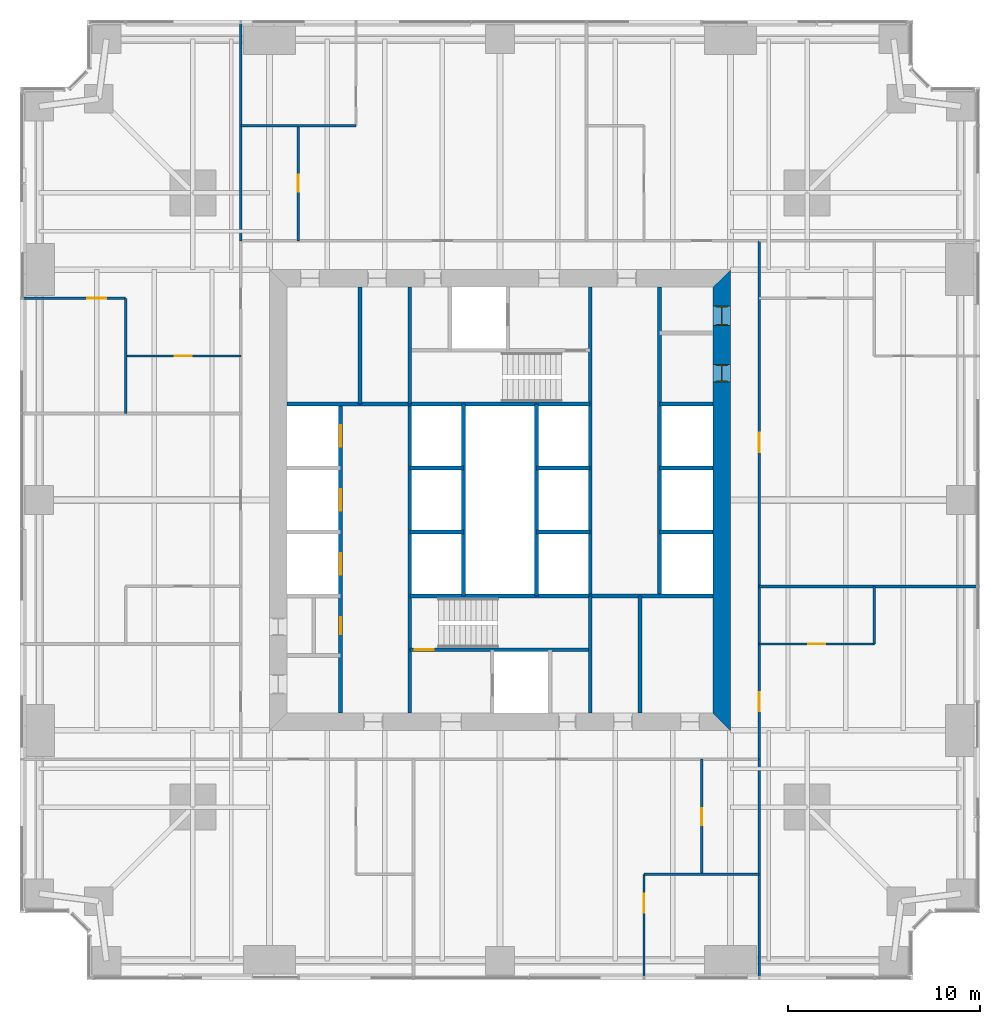
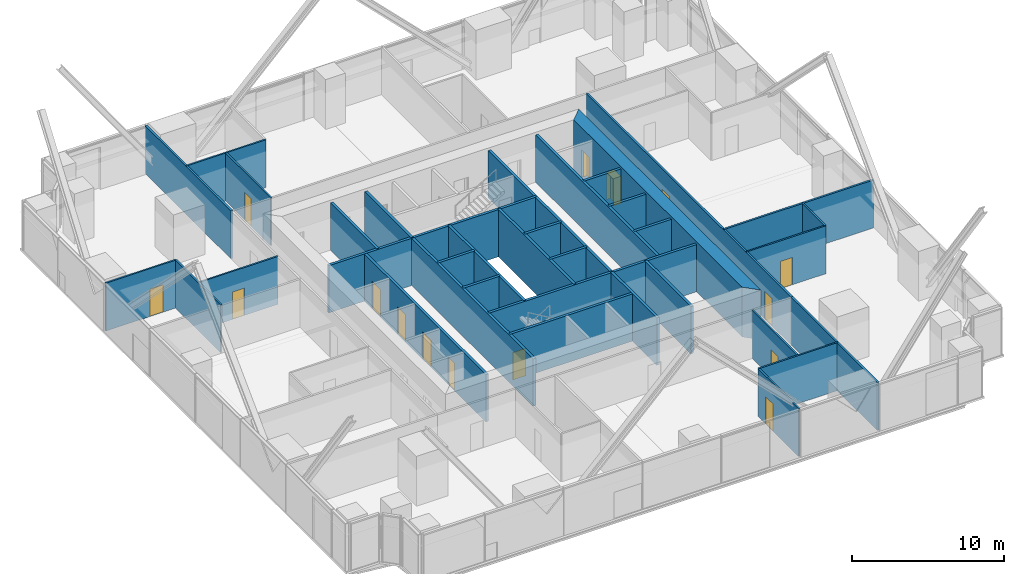
# One storey, part 10 of 13: 35 walls, 15 doors, 15 openings.
"""IFC4 building model written with IfcOpenShell, lengths in metres."""

from ifc_helpers import new_model, si_unit, direction, frame, frame_2d, origin, place, context, subcontext, project, spatial, polyline, rectangle, outline, extrude, material, layer, layer_set, type_object, element, fill, save


model = new_model("IFC4")

# Units and contexts
model_context = context("Model", 3, precision=1e-05, world=origin(), true_north=direction((0.0, 1.0)))
body_context = subcontext(model_context, "Body", "Model", "MODEL_VIEW")
ifc_project = project(units=[si_unit("LENGTHUNIT", "METRE"), si_unit("AREAUNIT", "SQUARE_METRE"), si_unit("VOLUMEUNIT", "CUBIC_METRE"), si_unit("PLANEANGLEUNIT", "RADIAN"), si_unit("MASSUNIT", "GRAM", prefix="KILO")], contexts=[model_context])

# Site, building, storey
site_placement = place(None, origin())
site = spatial("IfcSite", under=ifc_project, at=site_placement, CompositionType="ELEMENT")
building_placement = place(site_placement, origin())
building = spatial("IfcBuilding", under=site, at=building_placement, Name="Fenwick Lantern Interchange", CompositionType="ELEMENT")
storey_placement = place(building_placement, frame((0.0, 0.0, 55.0)))
storey = spatial("IfcBuildingStorey", under=building, at=storey_placement, Name="L12", CompositionType="ELEMENT", Elevation=55.0)

# Wall, openings, doors
ifc_material_1 = material(Name="Concrete masonry ASTM C90 Grade N", Category="masonry")
ifc_layer_1 = layer(ifc_material_1, 0.199951171875)
ifc_layer_set_1 = layer_set([ifc_layer_1], Name="Concrete masonry ASTM C90 Grade N")
wall_type_1 = type_object("IfcWallType", Name="CORE PARTITION 200", PredefinedType="PARTITIONING", material=ifc_layer_set_1)
wall_1_placement = place(storey_placement, frame((16.699951171875, 13.89990234375, 0.0), z_axis=(0.0, 0.0, 1.0), x_axis=(0.0, 1.0, 0.0)))
wall_1 = element("IfcWall", 1, at=wall_1_placement, inside=storey, type_object=wall_type_1, Name="L12/W/CORES/a", PredefinedType="PARTITIONING", context=body_context, shape_type="SweptSolid", body=[
    extrude(rectangle(XDim=16.10009765625, YDim=0.199951171875, at=frame_2d((8.050048828125, 0.0))), origin(), (0.0, 0.0, 1.0), 3.800048828125),
])
opening_1_placement = place(wall_1_placement, frame((4.10009765625, 0.0, 0.0)))
opening_1 = element("IfcOpeningElement", 2, at=opening_1_placement, cuts=wall_1, Name="Opening L12-D008", PredefinedType="OPENING", context=body_context, shape_type="SweptSolid", body=[
    extrude(rectangle(XDim=0.89990234375, YDim=2.199951171875, at=frame_2d((0.449951171875, 1.10009765625))), frame((0.0, 0.10986328125, 0.0), z_axis=(0.0, -1.0, 0.0), x_axis=(1.0, 0.0, 0.0)), (0.0, 0.0, 1.0), 0.219970703125),
])
opening_2_placement = place(wall_1_placement, frame((7.216552734375, 0.0, 0.0)))
opening_2 = element("IfcOpeningElement", 3, at=opening_2_placement, cuts=wall_1, Name="Opening LD-W1-1", PredefinedType="OPENING", context=body_context, shape_type="SweptSolid", body=[
    extrude(rectangle(XDim=1.10009765625, YDim=2.199951171875, at=frame_2d((0.550048828125, 1.10009765625))), frame((0.0, 0.10986328125, 0.0), z_axis=(0.0, -1.0, 0.0), x_axis=(1.0, 0.0, 0.0)), (0.0, 0.0, 1.0), 0.219970703125),
])
opening_3_placement = place(wall_1_placement, frame((10.550048828125, 0.0, 0.0)))
opening_3 = element("IfcOpeningElement", 4, at=opening_3_placement, cuts=wall_1, Name="Opening LD-W1-2", PredefinedType="OPENING", context=body_context, shape_type="SweptSolid", body=[
    extrude(rectangle(XDim=1.10009765625, YDim=2.199951171875, at=frame_2d((0.550048828125, 1.10009765625))), frame((0.0, 0.10986328125, 0.0), z_axis=(0.0, -1.0, 0.0), x_axis=(1.0, 0.0, 0.0)), (0.0, 0.0, 1.0), 0.219970703125),
])
opening_4_placement = place(wall_1_placement, frame((13.88330078125, 0.0, 0.0)))
opening_4 = element("IfcOpeningElement", 5, at=opening_4_placement, cuts=wall_1, Name="Opening LD-W1-3", PredefinedType="OPENING", context=body_context, shape_type="SweptSolid", body=[
    extrude(rectangle(XDim=1.10009765625, YDim=2.199951171875, at=frame_2d((0.550048828125, 1.10009765625))), frame((0.0, 0.10986328125, 0.0), z_axis=(0.0, -1.0, 0.0), x_axis=(1.0, 0.0, 0.0)), (0.0, 0.0, 1.0), 0.219970703125),
])
ifc_material_2 = material(Name="Steel door and frame", Category="steel")
door_type_1 = type_object("IfcDoorType", Name="LIFT LANDING DOOR 1100 X 2200", OperationType="DOUBLE_DOOR_SLIDING", PredefinedType="DOOR", material=ifc_material_2)
door_1_placement = place(opening_2_placement, origin())
door_1 = element("IfcDoor", 6, at=door_1_placement, inside=storey, type_object=door_type_1, Name="Lift landing door W1-1", OperationType="DOUBLE_DOOR_SLIDING", OverallHeight=2.199951171875, OverallWidth=1.10009765625, PredefinedType="DOOR", context=body_context, shape_type="SweptSolid", body=[
    extrude(rectangle(XDim=1.10009765625, YDim=2.199951171875, at=frame_2d((0.550048828125, 1.10009765625))), frame((0.0, 0.02490234375, 0.0), z_axis=(0.0, -1.0, 0.0), x_axis=(1.0, 0.0, 0.0)), (0.0, 0.0, 1.0), 0.050048828125),
])
fill(opening_2, door_1)
door_2_placement = place(opening_3_placement, origin())
door_2 = element("IfcDoor", 7, at=door_2_placement, inside=storey, type_object=door_type_1, Name="Lift landing door W1-2", OperationType="DOUBLE_DOOR_SLIDING", OverallHeight=2.199951171875, OverallWidth=1.10009765625, PredefinedType="DOOR", context=body_context, shape_type="SweptSolid", body=[
    extrude(rectangle(XDim=1.10009765625, YDim=2.199951171875, at=frame_2d((0.550048828125, 1.10009765625))), frame((0.0, 0.02490234375, 0.0), z_axis=(0.0, -1.0, 0.0), x_axis=(1.0, 0.0, 0.0)), (0.0, 0.0, 1.0), 0.050048828125),
])
fill(opening_3, door_2)
door_3_placement = place(opening_4_placement, origin())
door_3 = element("IfcDoor", 8, at=door_3_placement, inside=storey, type_object=door_type_1, Name="Lift landing door W1-3", OperationType="DOUBLE_DOOR_SLIDING", OverallHeight=2.199951171875, OverallWidth=1.10009765625, PredefinedType="DOOR", context=body_context, shape_type="SweptSolid", body=[
    extrude(rectangle(XDim=1.10009765625, YDim=2.199951171875, at=frame_2d((0.550048828125, 1.10009765625))), frame((0.0, 0.02490234375, 0.0), z_axis=(0.0, -1.0, 0.0), x_axis=(1.0, 0.0, 0.0)), (0.0, 0.0, 1.0), 0.050048828125),
])
fill(opening_4, door_3)
door_type_2 = type_object("IfcDoorType", Name="SERVICE DOOR 900 X 2200", OperationType="SINGLE_SWING_LEFT", PredefinedType="DOOR", material=ifc_material_2)
door_4_placement = place(opening_1_placement, origin())
door_4 = element("IfcDoor", 9, at=door_4_placement, inside=storey, type_object=door_type_2, Name="Service door", OperationType="SINGLE_SWING_LEFT", OverallHeight=2.199951171875, OverallWidth=0.89990234375, PredefinedType="DOOR", context=body_context, shape_type="SweptSolid", body=[
    extrude(rectangle(XDim=0.89990234375, YDim=2.199951171875, at=frame_2d((0.449951171875, 1.10009765625))), frame((0.0, 0.02490234375, 0.0), z_axis=(0.0, -1.0, 0.0), x_axis=(1.0, 0.0, 0.0)), (0.0, 0.0, 1.0), 0.050048828125),
])
fill(opening_1, door_4)

# Walls
for number, where, z_axis, x_axis, name in (
    (10, (20.300048828125, 23.333251953125, 0.0), (0.0, 0.0, 1.0), (1.0, 0.0, 0.0), "L12/W/CORES/e1"),
    (11, (20.300048828125, 26.666748046875, 0.0), (0.0, 0.0, 1.0), (1.0, 0.0, 0.0), "L12/W/CORES/e2"),
):
    element("IfcWall", number, at=place(storey_placement, frame(where, z_axis=z_axis, x_axis=x_axis)), inside=storey, type_object=wall_type_1, Name=name, PredefinedType="PARTITIONING", context=body_context, shape_type="SweptSolid", body=[
        extrude(rectangle(XDim=2.800048828125, YDim=0.199951171875, at=frame_2d((1.39990234375, 0.0))), origin(), (0.0, 0.0, 1.0), 3.800048828125),
    ])
wall_2_placement = place(storey_placement, frame((23.10009765625, 20.0, 0.0), z_axis=(0.0, 0.0, 1.0), x_axis=(0.0, 1.0, 0.0)))
element("IfcWall", 12, at=wall_2_placement, inside=storey, type_object=wall_type_1, Name="L12/W/CORES/e3", PredefinedType="PARTITIONING", context=body_context, shape_type="SweptSolid", body=[
    extrude(rectangle(XDim=10.0, YDim=0.199951171875, at=frame_2d((5.0, 0.0))), origin(), (0.0, 0.0, 1.0), 3.800048828125),
])
wall_3_placement = place(storey_placement, frame((32.300048828125, 13.89990234375, 0.0), z_axis=(0.0, 0.0, 1.0), x_axis=(0.0, 1.0, 0.0)))
element("IfcWall", 13, at=wall_3_placement, inside=storey, type_object=wall_type_1, Name="L12/W/CORES/i2", PredefinedType="PARTITIONING", context=body_context, shape_type="SweptSolid", body=[
    extrude(rectangle(XDim=6.10009765625, YDim=0.199951171875, at=frame_2d((3.050048828125, 0.0))), origin(), (0.0, 0.0, 1.0), 3.800048828125),
])
wall_4_placement = place(storey_placement, frame((33.300048828125, 36.10009765625, 0.0), z_axis=(0.0, 0.0, 1.0), x_axis=(0.0, -1.0, 0.0)))
element("IfcWall", 14, at=wall_4_placement, inside=storey, type_object=wall_type_1, Name="L12/W/COREN/a", PredefinedType="PARTITIONING", context=body_context, shape_type="SweptSolid", body=[
    extrude(rectangle(XDim=16.10009765625, YDim=0.199951171875, at=frame_2d((8.050048828125, 0.0))), origin(), (0.0, 0.0, 1.0), 3.800048828125),
])
for number, where, z_axis, x_axis, name in (
    (15, (36.10009765625, 30.0, 0.0), (0.0, 0.0, 1.0), (-1.0, 0.0, 0.0), "L12/W/COREN/c2"),
    (16, (36.10009765625, 26.666748046875, 0.0), (0.0, 0.0, 1.0), (-1.0, 0.0, 0.0), "L12/W/COREN/d1"),
    (17, (36.10009765625, 23.333251953125, 0.0), (0.0, 0.0, 1.0), (-1.0, 0.0, 0.0), "L12/W/COREN/d2"),
    (18, (29.699951171875, 26.666748046875, 0.0), (0.0, 0.0, 1.0), (-1.0, 0.0, 0.0), "L12/W/COREN/e1"),
    (19, (29.699951171875, 23.333251953125, 0.0), (0.0, 0.0, 1.0), (-1.0, 0.0, 0.0), "L12/W/COREN/e2"),
):
    element("IfcWall", number, at=place(storey_placement, frame(where, z_axis=z_axis, x_axis=x_axis)), inside=storey, type_object=wall_type_1, Name=name, PredefinedType="PARTITIONING", context=body_context, shape_type="SweptSolid", body=[
        extrude(rectangle(XDim=2.800048828125, YDim=0.199951171875, at=frame_2d((1.39990234375, 0.0))), origin(), (0.0, 0.0, 1.0), 3.800048828125),
    ])
wall_5_placement = place(storey_placement, frame((26.89990234375, 30.0, 0.0), z_axis=(0.0, 0.0, 1.0), x_axis=(0.0, -1.0, 0.0)))
element("IfcWall", 20, at=wall_5_placement, inside=storey, type_object=wall_type_1, Name="L12/W/COREN/e3", PredefinedType="PARTITIONING", context=body_context, shape_type="SweptSolid", body=[
    extrude(rectangle(XDim=10.0, YDim=0.199951171875, at=frame_2d((5.0, 0.0))), origin(), (0.0, 0.0, 1.0), 3.800048828125),
])
wall_6_placement = place(storey_placement, frame((17.699951171875, 36.10009765625, 0.0), z_axis=(0.0, 0.0, 1.0), x_axis=(0.0, -1.0, 0.0)))
element("IfcWall", 21, at=wall_6_placement, inside=storey, type_object=wall_type_1, Name="L12/W/COREN/i2", PredefinedType="PARTITIONING", context=body_context, shape_type="SweptSolid", body=[
    extrude(rectangle(XDim=6.10009765625, YDim=0.199951171875, at=frame_2d((3.050048828125, 0.0))), origin(), (0.0, 0.0, 1.0), 3.800048828125),
])

# Wall, openings, doors
ifc_material_3 = material(Name="Concrete f'c 70 MPa", Category="concrete")
ifc_layer_2 = layer(ifc_material_3, 0.89990234375)
ifc_layer_set_2 = layer_set([ifc_layer_2], Name="CORE WALL 900")
wall_type_2 = type_object("IfcWallType", Name="CORE WALL 900", PredefinedType="SHEAR", material=ifc_layer_set_2)
wall_7_placement = place(storey_placement, frame((36.550048828125, 13.89990234375, 0.0), z_axis=(0.0, 0.0, 1.0), x_axis=(0.0, 1.0, 0.0)))
wall_7 = element("IfcWall", 22, at=wall_7_placement, inside=storey, type_object=wall_type_2, Name="L12/CORE/E", PredefinedType="SHEAR", context=body_context, shape_type="SweptSolid", body=[
    extrude(outline(polyline([(-0.89990234375, -0.449951171875), (23.10009765625, -0.449951171875), (22.199951171875, 0.449951171875), (0.0, 0.449951171875), (-0.89990234375, -0.449951171875)])), origin(), (0.0, 0.0, 1.0), 4.0),
])
opening_5_placement = place(wall_7_placement, frame((20.199951171875, 0.0, 0.0)))
opening_5 = element("IfcOpeningElement", 23, at=opening_5_placement, cuts=wall_7, Name="Opening L12-D016", PredefinedType="OPENING", context=body_context, shape_type="SweptSolid", body=[
    extrude(rectangle(XDim=1.0, YDim=2.199951171875, at=frame_2d((0.5, 1.10009765625))), frame((0.0, 0.4599609375, 0.0), z_axis=(0.0, -1.0, 0.0), x_axis=(1.0, 0.0, 0.0)), (0.0, 0.0, 1.0), 0.919921875),
])
opening_6_placement = place(wall_7_placement, frame((17.25, 0.0, 0.0)))
opening_6 = element("IfcOpeningElement", 24, at=opening_6_placement, cuts=wall_7, Name="Opening L12-D017", PredefinedType="OPENING", context=body_context, shape_type="SweptSolid", body=[
    extrude(rectangle(XDim=0.89990234375, YDim=2.199951171875, at=frame_2d((0.449951171875, 1.10009765625))), frame((0.0, 0.4599609375, 0.0), z_axis=(0.0, -1.0, 0.0), x_axis=(1.0, 0.0, 0.0)), (0.0, 0.0, 1.0), 0.919921875),
])
door_type_3 = type_object("IfcDoorType", Name="SERVICE DOOR 1000 X 2200", OperationType="SINGLE_SWING_LEFT", PredefinedType="DOOR", material=ifc_material_2)
door_5_placement = place(opening_5_placement, origin())
door_5 = element("IfcDoor", 25, at=door_5_placement, inside=storey, type_object=door_type_3, Name="Service door", OperationType="SINGLE_SWING_LEFT", OverallHeight=2.199951171875, OverallWidth=1.0, PredefinedType="DOOR", context=body_context, shape_type="SweptSolid", body=[
    extrude(rectangle(XDim=1.0, YDim=2.199951171875, at=frame_2d((0.5, 1.10009765625))), frame((0.0, 0.02490234375, 0.0), z_axis=(0.0, -1.0, 0.0), x_axis=(1.0, 0.0, 0.0)), (0.0, 0.0, 1.0), 0.050048828125),
    extrude(outline(polyline([(0.0, 0.0), (0.0400390625, 0.0), (0.0400390625, 2.159912109375), (0.9599609375, 2.159912109375), (0.9599609375, 0.0), (1.0, 0.0), (1.0, 2.199951171875), (0.0, 2.199951171875), (0.0, 0.0)])), frame((0.0, 0.300048828125, 0.0), z_axis=(0.0, -1.0, 0.0), x_axis=(1.0, 0.0, 0.0)), (0.0, 0.0, 1.0), 0.60009765625),
])
fill(opening_5, door_5)
door_6_placement = place(opening_6_placement, origin())
door_6 = element("IfcDoor", 26, at=door_6_placement, inside=storey, type_object=door_type_2, Name="Service door", OperationType="SINGLE_SWING_LEFT", OverallHeight=2.199951171875, OverallWidth=0.89990234375, PredefinedType="DOOR", context=body_context, shape_type="SweptSolid", body=[
    extrude(rectangle(XDim=0.89990234375, YDim=2.199951171875, at=frame_2d((0.449951171875, 1.10009765625))), frame((0.0, 0.02490234375, 0.0), z_axis=(0.0, -1.0, 0.0), x_axis=(1.0, 0.0, 0.0)), (0.0, 0.0, 1.0), 0.050048828125),
    extrude(outline(polyline([(0.0, 0.0), (0.0400390625, 0.0), (0.0400390625, 2.159912109375), (0.85986328125, 2.159912109375), (0.85986328125, 0.0), (0.89990234375, 0.0), (0.89990234375, 2.199951171875), (0.0, 2.199951171875), (0.0, 0.0)])), frame((0.0, 0.300048828125, 0.0), z_axis=(0.0, -1.0, 0.0), x_axis=(1.0, 0.0, 0.0)), (0.0, 0.0, 1.0), 0.60009765625),
])
fill(opening_6, door_6)

ifc_material_4 = material(Name="Gypsum board on steel studs, 1 hour", Category="steel")
ifc_layer_3 = layer(ifc_material_4, 0.14990234375)
ifc_layer_set_3 = layer_set([ifc_layer_3], Name="CORRIDOR WALL 150")
wall_type_3 = type_object("IfcWallType", Name="CORRIDOR WALL 150", PredefinedType="PARTITIONING", material=ifc_layer_set_3)
wall_8_placement = place(storey_placement, frame((38.5, 11.5, 0.0), z_axis=(0.0, 0.0, 1.0), x_axis=(0.0, 1.0, 0.0)))
wall_8 = element("IfcWall", 27, at=wall_8_placement, inside=storey, type_object=wall_type_3, Name="L12/W/OFF/E/CW", PredefinedType="PARTITIONING", context=body_context, shape_type="SweptSolid", body=[
    extrude(rectangle(XDim=27.0, YDim=0.14990234375, at=frame_2d((13.5, 0.0))), origin(), (0.0, 0.0, 1.0), 3.85009765625),
])
opening_7_placement = place(wall_8_placement, frame((2.5, 0.0, 0.0)))
opening_7 = element("IfcOpeningElement", 28, at=opening_7_placement, cuts=wall_8, Name="Opening L12-D023", PredefinedType="OPENING", context=body_context, shape_type="SweptSolid", body=[
    extrude(rectangle(XDim=1.0, YDim=2.199951171875, at=frame_2d((0.5, 1.10009765625))), frame((0.0, 0.0849609375, 0.0), z_axis=(0.0, -1.0, 0.0), x_axis=(1.0, 0.0, 0.0)), (0.0, 0.0, 1.0), 0.169921875),
])
opening_8_placement = place(wall_8_placement, frame((16.0, 0.0, 0.0)))
opening_8 = element("IfcOpeningElement", 29, at=opening_8_placement, cuts=wall_8, Name="Opening L12-D025", PredefinedType="OPENING", context=body_context, shape_type="SweptSolid", body=[
    extrude(rectangle(XDim=1.0, YDim=2.199951171875, at=frame_2d((0.5, 1.10009765625))), frame((0.0, 0.0849609375, 0.0), z_axis=(0.0, -1.0, 0.0), x_axis=(1.0, 0.0, 0.0)), (0.0, 0.0, 1.0), 0.169921875),
])
door_type_4 = type_object("IfcDoorType", Name="SUITE ENTRANCE DOOR 1000 X 2200", OperationType="SINGLE_SWING_LEFT", PredefinedType="DOOR", material=ifc_material_2)
door_7_placement = place(opening_7_placement, frame((1.0, 0.0, 0.0), z_axis=(0.0, 0.0, 1.0), x_axis=(-1.0, 0.0, 0.0)))
door_7 = element("IfcDoor", 30, at=door_7_placement, inside=storey, type_object=door_type_4, Name="Suite entrance door", OperationType="SINGLE_SWING_LEFT", OverallHeight=2.199951171875, OverallWidth=1.0, PredefinedType="DOOR", context=body_context, shape_type="SweptSolid", body=[
    extrude(rectangle(XDim=1.0, YDim=2.199951171875, at=frame_2d((0.5, 1.10009765625))), frame((0.0, 0.02490234375, 0.0), z_axis=(0.0, -1.0, 0.0), x_axis=(1.0, 0.0, 0.0)), (0.0, 0.0, 1.0), 0.050048828125),
])
fill(opening_7, door_7)
door_8_placement = place(opening_8_placement, frame((1.0, 0.0, 0.0), z_axis=(0.0, 0.0, 1.0), x_axis=(-1.0, 0.0, 0.0)))
door_8 = element("IfcDoor", 31, at=door_8_placement, inside=storey, type_object=door_type_4, Name="Suite entrance door", OperationType="SINGLE_SWING_RIGHT", OverallHeight=2.199951171875, OverallWidth=1.0, PredefinedType="DOOR", context=body_context, shape_type="SweptSolid", body=[
    extrude(rectangle(XDim=1.0, YDim=2.199951171875, at=frame_2d((0.5, 1.10009765625))), frame((0.0, 0.02490234375, 0.0), z_axis=(0.0, -1.0, 0.0), x_axis=(1.0, 0.0, 0.0)), (0.0, 0.0, 1.0), 0.050048828125),
])
fill(opening_8, door_8)

# Wall, opening, door
ifc_material_5 = material(Name="Gypsum board on steel studs, acoustic", Category="steel")
ifc_layer_4 = layer(ifc_material_5, 0.125)
ifc_layer_set_4 = layer_set([ifc_layer_4], Name="OFFICE PARTITION 125")
wall_type_4 = type_object("IfcWallType", Name="OFFICE PARTITION 125", PredefinedType="PARTITIONING", material=ifc_layer_set_4)
wall_9_placement = place(storey_placement, frame((32.5, 0.14990234375, 0.0), z_axis=(0.0, 0.0, 1.0), x_axis=(0.0, 1.0, 0.0)))
wall_9 = element("IfcWall", 32, at=wall_9_placement, inside=storey, type_object=wall_type_4, Name="L12/W/OFF/S/X325-1", PredefinedType="PARTITIONING", context=body_context, shape_type="SweptSolid", body=[
    extrude(rectangle(XDim=5.35009765625, YDim=0.125, at=frame_2d((2.675048828125, 0.0))), origin(), (0.0, 0.0, 1.0), 3.85009765625),
])
opening_9_placement = place(wall_9_placement, frame((3.35009765625, 0.0, 0.0)))
opening_9 = element("IfcOpeningElement", 33, at=opening_9_placement, cuts=wall_9, Name="Opening L12-D021", PredefinedType="OPENING", context=body_context, shape_type="SweptSolid", body=[
    extrude(rectangle(XDim=1.0, YDim=2.199951171875, at=frame_2d((0.5, 1.10009765625))), frame((0.0, 0.072509765625, 0.0), z_axis=(0.0, -1.0, 0.0), x_axis=(1.0, 0.0, 0.0)), (0.0, 0.0, 1.0), 0.14501953125),
])
ifc_material_6 = material(Name="Hardwood door and steel frame", Category="steel")
door_type_5 = type_object("IfcDoorType", Name="MEETING ROOM DOOR 1000 X 2200", OperationType="SINGLE_SWING_LEFT", PredefinedType="DOOR", material=ifc_material_6)
door_9_placement = place(opening_9_placement, frame((1.0, 0.0, 0.0), z_axis=(0.0, 0.0, 1.0), x_axis=(-1.0, 0.0, 0.0)))
door_9 = element("IfcDoor", 34, at=door_9_placement, inside=storey, type_object=door_type_5, Name="Meeting room door", OperationType="SINGLE_SWING_LEFT", OverallHeight=2.199951171875, OverallWidth=1.0, PredefinedType="DOOR", context=body_context, shape_type="SweptSolid", body=[
    extrude(rectangle(XDim=1.0, YDim=2.199951171875, at=frame_2d((0.5, 1.10009765625))), frame((0.0, 0.02490234375, 0.0), z_axis=(0.0, -1.0, 0.0), x_axis=(1.0, 0.0, 0.0)), (0.0, 0.0, 1.0), 0.050048828125),
])
fill(opening_9, door_9)

wall_10_placement = place(storey_placement, frame((35.5, 5.5, 0.0), z_axis=(0.0, 0.0, 1.0), x_axis=(0.0, 1.0, 0.0)))
wall_10 = element("IfcWall", 35, at=wall_10_placement, inside=storey, type_object=wall_type_4, Name="L12/W/OFF/S/X355-1", PredefinedType="PARTITIONING", context=body_context, shape_type="SweptSolid", body=[
    extrude(rectangle(XDim=6.0, YDim=0.125, at=frame_2d((3.0, 0.0))), origin(), (0.0, 0.0, 1.0), 3.85009765625),
])
opening_10_placement = place(wall_10_placement, frame((2.550048828125, 0.0, 0.0)))
opening_10 = element("IfcOpeningElement", 36, at=opening_10_placement, cuts=wall_10, Name="Opening L12-D022", PredefinedType="OPENING", context=body_context, shape_type="SweptSolid", body=[
    extrude(rectangle(XDim=0.89990234375, YDim=2.199951171875, at=frame_2d((0.449951171875, 1.10009765625))), frame((0.0, 0.072509765625, 0.0), z_axis=(0.0, -1.0, 0.0), x_axis=(1.0, 0.0, 0.0)), (0.0, 0.0, 1.0), 0.14501953125),
])
door_type_6 = type_object("IfcDoorType", Name="OFFICE DOOR 900 X 2200", OperationType="SINGLE_SWING_LEFT", PredefinedType="DOOR", material=ifc_material_6)
door_10_placement = place(opening_10_placement, frame((0.89990234375, 0.0, 0.0), z_axis=(0.0, 0.0, 1.0), x_axis=(-1.0, 0.0, 0.0)))
door_10 = element("IfcDoor", 37, at=door_10_placement, inside=storey, type_object=door_type_6, Name="Office door", OperationType="SINGLE_SWING_RIGHT", OverallHeight=2.199951171875, OverallWidth=0.89990234375, PredefinedType="DOOR", context=body_context, shape_type="SweptSolid", body=[
    extrude(rectangle(XDim=0.89990234375, YDim=2.199951171875, at=frame_2d((0.449951171875, 1.10009765625))), frame((0.0, 0.02490234375, 0.0), z_axis=(0.0, -1.0, 0.0), x_axis=(1.0, 0.0, 0.0)), (0.0, 0.0, 1.0), 0.050048828125),
])
fill(opening_10, door_10)

# Wall
wall_11_placement = place(storey_placement, frame((32.5, 5.5, 0.0), z_axis=(0.0, 0.0, 1.0), x_axis=(1.0, 0.0, 0.0)))
element("IfcWall", 38, at=wall_11_placement, inside=storey, type_object=wall_type_4, Name="L12/W/OFF/S/Y55-2", PredefinedType="PARTITIONING", context=body_context, shape_type="SweptSolid", body=[
    extrude(rectangle(XDim=6.0, YDim=0.125, at=frame_2d((3.0, 0.0))), origin(), (0.0, 0.0, 1.0), 3.85009765625),
])

# Wall, opening, door
wall_12_placement = place(storey_placement, frame((44.5, 17.5, 0.0), z_axis=(0.0, 0.0, 1.0), x_axis=(-1.0, 0.0, 0.0)))
wall_12 = element("IfcWall", 39, at=wall_12_placement, inside=storey, type_object=wall_type_4, Name="L12/W/OFF/E/X175-1", PredefinedType="PARTITIONING", context=body_context, shape_type="SweptSolid", body=[
    extrude(rectangle(XDim=6.0, YDim=0.125, at=frame_2d((3.0, 0.0))), origin(), (0.0, 0.0, 1.0), 3.85009765625),
])
opening_11_placement = place(wall_12_placement, frame((2.550048828125, 0.0, 0.0)))
opening_11 = element("IfcOpeningElement", 40, at=opening_11_placement, cuts=wall_12, Name="Opening L12-D024", PredefinedType="OPENING", context=body_context, shape_type="SweptSolid", body=[
    extrude(rectangle(XDim=0.89990234375, YDim=2.199951171875, at=frame_2d((0.449951171875, 1.10009765625))), frame((0.0, 0.072509765625, 0.0), z_axis=(0.0, -1.0, 0.0), x_axis=(1.0, 0.0, 0.0)), (0.0, 0.0, 1.0), 0.14501953125),
])
door_11_placement = place(opening_11_placement, frame((0.89990234375, 0.0, 0.0), z_axis=(0.0, 0.0, 1.0), x_axis=(-1.0, 0.0, 0.0)))
door_11 = element("IfcDoor", 41, at=door_11_placement, inside=storey, type_object=door_type_6, Name="Office door", OperationType="SINGLE_SWING_RIGHT", OverallHeight=2.199951171875, OverallWidth=0.89990234375, PredefinedType="DOOR", context=body_context, shape_type="SweptSolid", body=[
    extrude(rectangle(XDim=0.89990234375, YDim=2.199951171875, at=frame_2d((0.449951171875, 1.10009765625))), frame((0.0, 0.02490234375, 0.0), z_axis=(0.0, -1.0, 0.0), x_axis=(1.0, 0.0, 0.0)), (0.0, 0.0, 1.0), 0.050048828125),
])
fill(opening_11, door_11)

# Wall
wall_13_placement = place(storey_placement, frame((44.5, 17.5, 0.0), z_axis=(0.0, 0.0, 1.0), x_axis=(0.0, 1.0, 0.0)))
element("IfcWall", 42, at=wall_13_placement, inside=storey, type_object=wall_type_4, Name="L12/W/OFF/E/Y55-1", PredefinedType="PARTITIONING", context=body_context, shape_type="SweptSolid", body=[
    extrude(rectangle(XDim=3.0, YDim=0.125, at=frame_2d((1.5, 0.0))), origin(), (0.0, 0.0, 1.0), 3.85009765625),
])

# Wall, opening, door
wall_14_placement = place(storey_placement, frame((14.5, 44.5, 0.0), z_axis=(0.0, 0.0, 1.0), x_axis=(0.0, -1.0, 0.0)))
wall_14 = element("IfcWall", 43, at=wall_14_placement, inside=storey, type_object=wall_type_4, Name="L12/W/OFF/N/X355-1", PredefinedType="PARTITIONING", context=body_context, shape_type="SweptSolid", body=[
    extrude(rectangle(XDim=6.0, YDim=0.125, at=frame_2d((3.0, 0.0))), origin(), (0.0, 0.0, 1.0), 3.85009765625),
])
opening_12_placement = place(wall_14_placement, frame((2.550048828125, 0.0, 0.0)))
opening_12 = element("IfcOpeningElement", 44, at=opening_12_placement, cuts=wall_14, Name="Opening L12-D032", PredefinedType="OPENING", context=body_context, shape_type="SweptSolid", body=[
    extrude(rectangle(XDim=0.89990234375, YDim=2.199951171875, at=frame_2d((0.449951171875, 1.10009765625))), frame((0.0, 0.072509765625, 0.0), z_axis=(0.0, -1.0, 0.0), x_axis=(1.0, 0.0, 0.0)), (0.0, 0.0, 1.0), 0.14501953125),
])
door_12_placement = place(opening_12_placement, frame((0.89990234375, 0.0, 0.0), z_axis=(0.0, 0.0, 1.0), x_axis=(-1.0, 0.0, 0.0)))
door_12 = element("IfcDoor", 45, at=door_12_placement, inside=storey, type_object=door_type_6, Name="Office door", OperationType="SINGLE_SWING_RIGHT", OverallHeight=2.199951171875, OverallWidth=0.89990234375, PredefinedType="DOOR", context=body_context, shape_type="SweptSolid", body=[
    extrude(rectangle(XDim=0.89990234375, YDim=2.199951171875, at=frame_2d((0.449951171875, 1.10009765625))), frame((0.0, 0.02490234375, 0.0), z_axis=(0.0, -1.0, 0.0), x_axis=(1.0, 0.0, 0.0)), (0.0, 0.0, 1.0), 0.050048828125),
])
fill(opening_12, door_12)

# Wall
wall_15_placement = place(storey_placement, frame((17.5, 44.5, 0.0), z_axis=(0.0, 0.0, 1.0), x_axis=(-1.0, 0.0, 0.0)))
element("IfcWall", 46, at=wall_15_placement, inside=storey, type_object=wall_type_4, Name="L12/W/OFF/N/Y55-2", PredefinedType="PARTITIONING", context=body_context, shape_type="SweptSolid", body=[
    extrude(rectangle(XDim=6.0, YDim=0.125, at=frame_2d((3.0, 0.0))), origin(), (0.0, 0.0, 1.0), 3.85009765625),
])

# Wall, opening, door
wall_16_placement = place(storey_placement, frame((0.14990234375, 35.5, 0.0), z_axis=(0.0, 0.0, 1.0), x_axis=(1.0, 0.0, 0.0)))
wall_16 = element("IfcWall", 47, at=wall_16_placement, inside=storey, type_object=wall_type_4, Name="L12/W/OFF/W/X145-1", PredefinedType="PARTITIONING", context=body_context, shape_type="SweptSolid", body=[
    extrude(rectangle(XDim=5.35009765625, YDim=0.125, at=frame_2d((2.675048828125, 0.0))), origin(), (0.0, 0.0, 1.0), 3.85009765625),
])
opening_13_placement = place(wall_16_placement, frame((3.35009765625, 0.0, 0.0)))
opening_13 = element("IfcOpeningElement", 48, at=opening_13_placement, cuts=wall_16, Name="Opening L12-D034", PredefinedType="OPENING", context=body_context, shape_type="SweptSolid", body=[
    extrude(rectangle(XDim=1.0, YDim=2.199951171875, at=frame_2d((0.5, 1.10009765625))), frame((0.0, 0.072509765625, 0.0), z_axis=(0.0, -1.0, 0.0), x_axis=(1.0, 0.0, 0.0)), (0.0, 0.0, 1.0), 0.14501953125),
])
door_13_placement = place(opening_13_placement, frame((1.0, 0.0, 0.0), z_axis=(0.0, 0.0, 1.0), x_axis=(-1.0, 0.0, 0.0)))
door_13 = element("IfcDoor", 49, at=door_13_placement, inside=storey, type_object=door_type_5, Name="Meeting room door", OperationType="SINGLE_SWING_LEFT", OverallHeight=2.199951171875, OverallWidth=1.0, PredefinedType="DOOR", context=body_context, shape_type="SweptSolid", body=[
    extrude(rectangle(XDim=1.0, YDim=2.199951171875, at=frame_2d((0.5, 1.10009765625))), frame((0.0, 0.02490234375, 0.0), z_axis=(0.0, -1.0, 0.0), x_axis=(1.0, 0.0, 0.0)), (0.0, 0.0, 1.0), 0.050048828125),
])
fill(opening_13, door_13)

wall_17_placement = place(storey_placement, frame((5.5, 32.5, 0.0), z_axis=(0.0, 0.0, 1.0), x_axis=(1.0, 0.0, 0.0)))
wall_17 = element("IfcWall", 50, at=wall_17_placement, inside=storey, type_object=wall_type_4, Name="L12/W/OFF/W/X175-1", PredefinedType="PARTITIONING", context=body_context, shape_type="SweptSolid", body=[
    extrude(rectangle(XDim=6.0, YDim=0.125, at=frame_2d((3.0, 0.0))), origin(), (0.0, 0.0, 1.0), 3.85009765625),
])
opening_14_placement = place(wall_17_placement, frame((2.550048828125, 0.0, 0.0)))
opening_14 = element("IfcOpeningElement", 51, at=opening_14_placement, cuts=wall_17, Name="Opening L12-D035", PredefinedType="OPENING", context=body_context, shape_type="SweptSolid", body=[
    extrude(rectangle(XDim=0.89990234375, YDim=2.199951171875, at=frame_2d((0.449951171875, 1.10009765625))), frame((0.0, 0.072509765625, 0.0), z_axis=(0.0, -1.0, 0.0), x_axis=(1.0, 0.0, 0.0)), (0.0, 0.0, 1.0), 0.14501953125),
])
door_14_placement = place(opening_14_placement, frame((0.89990234375, 0.0, 0.0), z_axis=(0.0, 0.0, 1.0), x_axis=(-1.0, 0.0, 0.0)))
door_14 = element("IfcDoor", 52, at=door_14_placement, inside=storey, type_object=door_type_6, Name="Office door", OperationType="SINGLE_SWING_RIGHT", OverallHeight=2.199951171875, OverallWidth=0.89990234375, PredefinedType="DOOR", context=body_context, shape_type="SweptSolid", body=[
    extrude(rectangle(XDim=0.89990234375, YDim=2.199951171875, at=frame_2d((0.449951171875, 1.10009765625))), frame((0.0, 0.02490234375, 0.0), z_axis=(0.0, -1.0, 0.0), x_axis=(1.0, 0.0, 0.0)), (0.0, 0.0, 1.0), 0.050048828125),
])
fill(opening_14, door_14)

# Walls
wall_18_placement = place(storey_placement, frame((5.5, 35.5, 0.0), z_axis=(0.0, 0.0, 1.0), x_axis=(0.0, -1.0, 0.0)))
element("IfcWall", 53, at=wall_18_placement, inside=storey, type_object=wall_type_4, Name="L12/W/OFF/W/Y55-1", PredefinedType="PARTITIONING", context=body_context, shape_type="SweptSolid", body=[
    extrude(rectangle(XDim=6.0, YDim=0.125, at=frame_2d((3.0, 0.0))), origin(), (0.0, 0.0, 1.0), 3.85009765625),
])
ifc_material_7 = material(Name="Concrete f'c 45 MPa", Category="concrete")
ifc_layer_5 = layer(ifc_material_7, 0.199951171875)
ifc_layer_set_5 = layer_set([ifc_layer_5], Name="STAIR CORE WALL 200")
wall_type_5 = type_object("IfcWallType", Name="STAIR CORE WALL 200", PredefinedType="SOLIDWALL", material=ifc_layer_set_5)
wall_19_placement = place(storey_placement, frame((20.300048828125, 13.89990234375, 0.0), z_axis=(0.0, 0.0, 1.0), x_axis=(0.0, 1.0, 0.0)))
element("IfcWall", 54, at=wall_19_placement, inside=storey, type_object=wall_type_5, Name="L12/W/CORES/b", PredefinedType="SOLIDWALL", context=body_context, shape_type="SweptSolid", body=[
    extrude(rectangle(XDim=16.10009765625, YDim=0.199951171875, at=frame_2d((8.050048828125, 0.0))), origin(), (0.0, 0.0, 1.0), 3.800048828125),
])

# Wall, opening, door
wall_20_placement = place(storey_placement, frame((20.300048828125, 17.199951171875, 0.0), z_axis=(0.0, 0.0, 1.0), x_axis=(1.0, 0.0, 0.0)))
wall_20 = element("IfcWall", 55, at=wall_20_placement, inside=storey, type_object=wall_type_5, Name="L12/W/CORES/g1", PredefinedType="SOLIDWALL", context=body_context, shape_type="SweptSolid", body=[
    extrude(rectangle(XDim=9.39990234375, YDim=0.199951171875, at=frame_2d((4.699951171875, 0.0))), origin(), (0.0, 0.0, 1.0), 3.800048828125),
])
opening_15_placement = place(wall_20_placement, frame((0.25, 0.0, 0.0)))
opening_15 = element("IfcOpeningElement", 56, at=opening_15_placement, cuts=wall_20, Name="Opening L12-D003", PredefinedType="OPENING", context=body_context, shape_type="SweptSolid", body=[
    extrude(rectangle(XDim=1.0, YDim=2.199951171875, at=frame_2d((0.5, 1.10009765625))), frame((0.0, 0.10986328125, 0.0), z_axis=(0.0, -1.0, 0.0), x_axis=(1.0, 0.0, 0.0)), (0.0, 0.0, 1.0), 0.219970703125),
])
door_type_7 = type_object("IfcDoorType", Name="STAIR DOOR 1000 X 2200", OperationType="SINGLE_SWING_LEFT", PredefinedType="DOOR", material=ifc_material_2)
door_15_placement = place(opening_15_placement, origin())
door_15 = element("IfcDoor", 57, at=door_15_placement, inside=storey, type_object=door_type_7, Name="Stair door", OperationType="SINGLE_SWING_LEFT", OverallHeight=2.199951171875, OverallWidth=1.0, PredefinedType="DOOR", context=body_context, shape_type="SweptSolid", body=[
    extrude(rectangle(XDim=1.0, YDim=2.199951171875, at=frame_2d((0.5, 1.10009765625))), frame((0.0, 0.02490234375, 0.0), z_axis=(0.0, -1.0, 0.0), x_axis=(1.0, 0.0, 0.0)), (0.0, 0.0, 1.0), 0.050048828125),
])
fill(opening_15, door_15)

# Walls
wall_21_placement = place(storey_placement, frame((20.300048828125, 20.0, 0.0), z_axis=(0.0, 0.0, 1.0), x_axis=(1.0, 0.0, 0.0)))
element("IfcWall", 58, at=wall_21_placement, inside=storey, type_object=wall_type_5, Name="L12/W/CORES/g2", PredefinedType="SOLIDWALL", context=body_context, shape_type="SweptSolid", body=[
    extrude(rectangle(XDim=15.800048828125, YDim=0.199951171875, at=frame_2d((7.89990234375, 0.0))), origin(), (0.0, 0.0, 1.0), 3.800048828125),
])
wall_22_placement = place(storey_placement, frame((29.699951171875, 13.89990234375, 0.0), z_axis=(0.0, 0.0, 1.0), x_axis=(0.0, 1.0, 0.0)))
element("IfcWall", 59, at=wall_22_placement, inside=storey, type_object=wall_type_5, Name="L12/W/CORES/i1", PredefinedType="SOLIDWALL", context=body_context, shape_type="SweptSolid", body=[
    extrude(rectangle(XDim=6.10009765625, YDim=0.199951171875, at=frame_2d((3.050048828125, 0.0))), origin(), (0.0, 0.0, 1.0), 3.800048828125),
])
wall_23_placement = place(storey_placement, frame((29.699951171875, 36.10009765625, 0.0), z_axis=(0.0, 0.0, 1.0), x_axis=(0.0, -1.0, 0.0)))
element("IfcWall", 60, at=wall_23_placement, inside=storey, type_object=wall_type_5, Name="L12/W/COREN/b", PredefinedType="SOLIDWALL", context=body_context, shape_type="SweptSolid", body=[
    extrude(rectangle(XDim=16.10009765625, YDim=0.199951171875, at=frame_2d((8.050048828125, 0.0))), origin(), (0.0, 0.0, 1.0), 3.800048828125),
])
wall_24_placement = place(storey_placement, frame((29.699951171875, 30.0, 0.0), z_axis=(0.0, 0.0, 1.0), x_axis=(-1.0, 0.0, 0.0)))
element("IfcWall", 61, at=wall_24_placement, inside=storey, type_object=wall_type_5, Name="L12/W/COREN/g2", PredefinedType="SOLIDWALL", context=body_context, shape_type="SweptSolid", body=[
    extrude(rectangle(XDim=15.800048828125, YDim=0.199951171875, at=frame_2d((7.89990234375, 0.0))), origin(), (0.0, 0.0, 1.0), 3.800048828125),
])
wall_25_placement = place(storey_placement, frame((20.300048828125, 36.10009765625, 0.0), z_axis=(0.0, 0.0, 1.0), x_axis=(0.0, -1.0, 0.0)))
element("IfcWall", 62, at=wall_25_placement, inside=storey, type_object=wall_type_5, Name="L12/W/COREN/i1", PredefinedType="SOLIDWALL", context=body_context, shape_type="SweptSolid", body=[
    extrude(rectangle(XDim=6.10009765625, YDim=0.199951171875, at=frame_2d((3.050048828125, 0.0))), origin(), (0.0, 0.0, 1.0), 3.800048828125),
])
ifc_material_8 = material(Name="Gypsum board on steel studs, 1 hour acoustic", Category="steel")
ifc_layer_6 = layer(ifc_material_8, 0.14990234375)
ifc_layer_set_6 = layer_set([ifc_layer_6], Name="TENANT WALL 150")
wall_type_6 = type_object("IfcWallType", Name="TENANT WALL 150", PredefinedType="PARTITIONING", material=ifc_layer_set_6)
for number, where, z_axis, x_axis, name in (
    (63, (38.5, 0.14990234375, 0.0), (0.0, 0.0, 1.0), (0.0, 1.0, 0.0), "L12/W/OFF/E/BACK"),
    (64, (49.85009765625, 20.5, 0.0), (0.0, 0.0, 1.0), (-1.0, 0.0, 0.0), "L12/W/OFF/E/X205-1"),
    (65, (11.5, 49.85009765625, 0.0), (0.0, 0.0, 1.0), (0.0, -1.0, 0.0), "L12/W/OFF/W/BACK"),
):
    element("IfcWall", number, at=place(storey_placement, frame(where, z_axis=z_axis, x_axis=x_axis)), inside=storey, type_object=wall_type_6, Name=name, PredefinedType="PARTITIONING", context=body_context, shape_type="SweptSolid", body=[
        extrude(rectangle(XDim=11.35009765625, YDim=0.14990234375, at=frame_2d((5.675048828125, 0.0))), origin(), (0.0, 0.0, 1.0), 3.85009765625),
    ])

save(model, "model.ifc")
